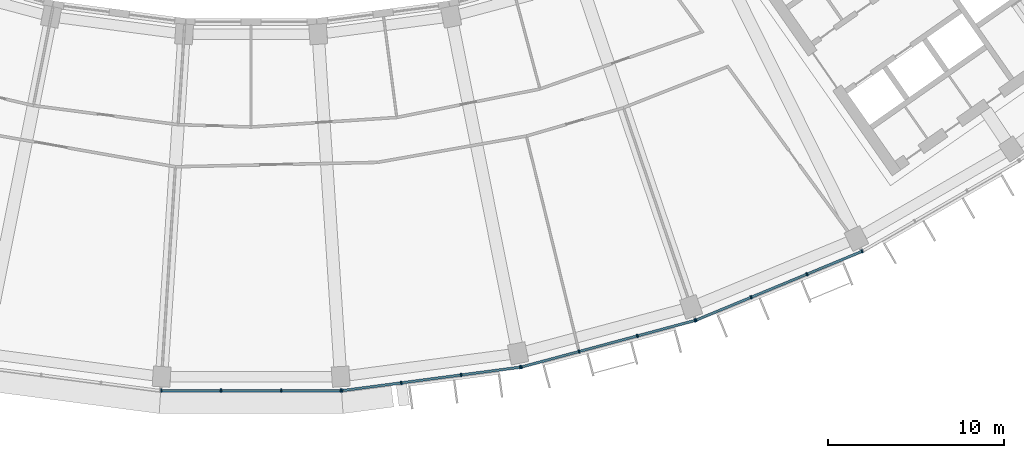
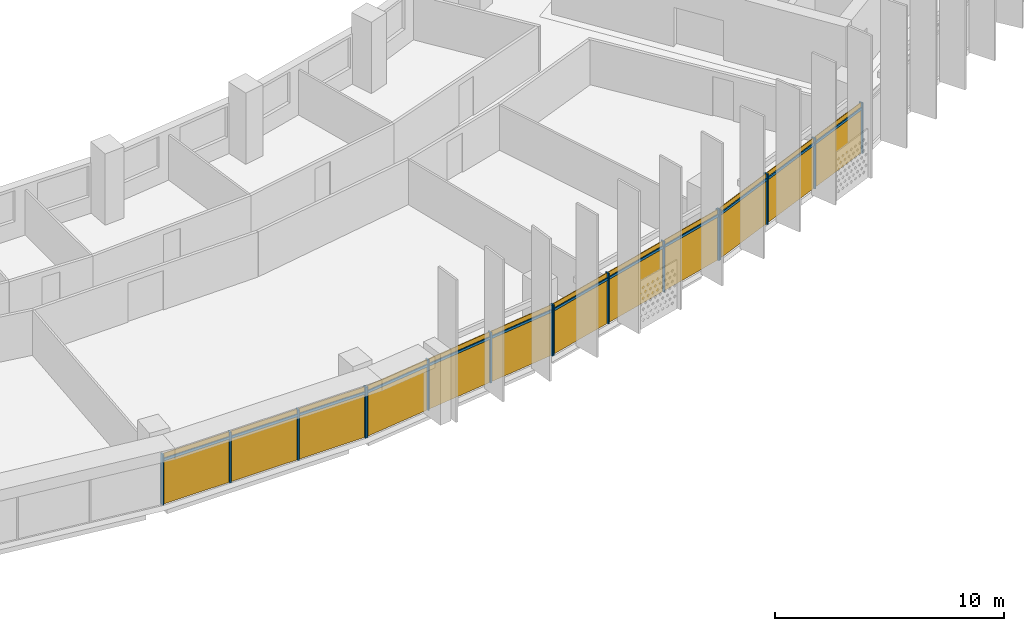
# One storey, part 21 of 28: 28 members, 4 curtain walls.
"""IFC4 building model written with IfcOpenShell, lengths in metres."""

from ifc_helpers import new_model, si_unit, direction, frame, origin, origin_2d, place, context, subcontext, project, spatial, rectangle, extrude, material, material_profile, profile_set, type_object, element, aggregate, save


model = new_model("IFC4")

# Units and contexts
model_context = context("Model", 3, precision=1e-05, world=origin(), true_north=direction((0.0, 1.0)))
body_context = subcontext(model_context, "Body", "Model", "MODEL_VIEW")
ifc_project = project(units=[si_unit("LENGTHUNIT", "METRE"), si_unit("AREAUNIT", "SQUARE_METRE"), si_unit("VOLUMEUNIT", "CUBIC_METRE"), si_unit("PLANEANGLEUNIT", "RADIAN"), si_unit("MASSUNIT", "GRAM", prefix="KILO")], contexts=[model_context])

# Member
ifc_material = material(Name="Aluminium 6063-T6 anodised", Category="aluminium")
ifc_material_profile_1 = material_profile(ifc_material, rectangle(XDim=0.199951171875, YDim=0.070068359375, at=origin_2d()))
ifc_profile_set_1 = profile_set([ifc_material_profile_1], Name="Aluminium 6063-T6 anodised")
member_type_1 = type_object("IfcMemberType", Name="Mullion 70 x 200 aluminium", PredefinedType="MULLION", material=ifc_profile_set_1)
site_placement = place(None, origin())
building_placement = place(site_placement, origin())
storey_placement = place(building_placement, frame((0.0, 0.0, 218.89990234375)))
member_1_placement = place(storey_placement, frame((-5.10888671875, -78.381591796875, 0.0), z_axis=(0.0, 0.0, 1.0), x_axis=(0.0, 1.0, 0.0)))
member_1 = element("IfcMember", 1, at=member_1_placement, type_object=member_type_1, Name="e-cw1-L52-out08/M00", PredefinedType="MULLION", context=body_context, shape_type="SweptSolid", body=[
    extrude(rectangle(XDim=0.199951171875, YDim=0.070068359375, at=origin_2d()), origin(), (0.0, 0.0, 1.0), 2.7001953125),
])

member_2_placement = place(storey_placement, frame((-1.714599609375, -78.381591796875, 0.0), z_axis=(0.0, 0.0, 1.0), x_axis=(0.0, 1.0, 0.0)))
member_2 = element("IfcMember", 2, at=member_2_placement, type_object=member_type_1, Name="e-cw1-L52-out08/M01", PredefinedType="MULLION", context=body_context, shape_type="SweptSolid", body=[
    extrude(rectangle(XDim=0.199951171875, YDim=0.070068359375, at=origin_2d()), origin(), (0.0, 0.0, 1.0), 2.7001953125),
])

member_3_placement = place(storey_placement, frame((1.714599609375, -78.381591796875, 0.0), z_axis=(0.0, 0.0, 1.0), x_axis=(0.0, 1.0, 0.0)))
member_3 = element("IfcMember", 3, at=member_3_placement, type_object=member_type_1, Name="e-cw1-L52-out08/M02", PredefinedType="MULLION", context=body_context, shape_type="SweptSolid", body=[
    extrude(rectangle(XDim=0.199951171875, YDim=0.070068359375, at=origin_2d()), origin(), (0.0, 0.0, 1.0), 2.7001953125),
])

member_4_placement = place(storey_placement, frame((5.10888671875, -78.381591796875, 0.0), z_axis=(0.0, 0.0, 1.0), x_axis=(0.0, 1.0, 0.0)))
member_4 = element("IfcMember", 4, at=member_4_placement, type_object=member_type_1, Name="e-cw1-L52-out08/M03", PredefinedType="MULLION", context=body_context, shape_type="SweptSolid", body=[
    extrude(rectangle(XDim=0.199951171875, YDim=0.070068359375, at=origin_2d()), origin(), (0.0, 0.0, 1.0), 2.7001953125),
])

member_5_placement = place(storey_placement, frame((5.16552734375, -78.3779296875, 0.0), z_axis=(0.0, 0.0, 1.0), x_axis=(-0.13052619222, 0.991444861374, 0.0)))
member_5 = element("IfcMember", 5, at=member_5_placement, type_object=member_type_1, Name="e-cw1-L52-out09/M00", PredefinedType="MULLION", context=body_context, shape_type="SweptSolid", body=[
    extrude(rectangle(XDim=0.199951171875, YDim=0.070068359375, at=origin_2d()), origin(), (0.0, 0.0, 1.0), 2.7001953125),
])

member_6_placement = place(storey_placement, frame((8.53076171875, -77.934814453125, 0.0), z_axis=(0.0, 0.0, 1.0), x_axis=(-0.13052619222, 0.991444861374, 0.0)))
member_6 = element("IfcMember", 6, at=member_6_placement, type_object=member_type_1, Name="e-cw1-L52-out09/M01", PredefinedType="MULLION", context=body_context, shape_type="SweptSolid", body=[
    extrude(rectangle(XDim=0.199951171875, YDim=0.070068359375, at=origin_2d()), origin(), (0.0, 0.0, 1.0), 2.7001953125),
])

member_7_placement = place(storey_placement, frame((11.930908203125, -77.4873046875, 0.0), z_axis=(0.0, 0.0, 1.0), x_axis=(-0.13052619222, 0.991444861374, 0.0)))
member_7 = element("IfcMember", 7, at=member_7_placement, type_object=member_type_1, Name="e-cw1-L52-out09/M02", PredefinedType="MULLION", context=body_context, shape_type="SweptSolid", body=[
    extrude(rectangle(XDim=0.199951171875, YDim=0.070068359375, at=origin_2d()), origin(), (0.0, 0.0, 1.0), 2.7001953125),
])

member_8_placement = place(storey_placement, frame((15.296142578125, -77.044189453125, 0.0), z_axis=(0.0, 0.0, 1.0), x_axis=(-0.13052619222, 0.991444861374, 0.0)))
member_8 = element("IfcMember", 8, at=member_8_placement, type_object=member_type_1, Name="e-cw1-L52-out09/M03", PredefinedType="MULLION", context=body_context, shape_type="SweptSolid", body=[
    extrude(rectangle(XDim=0.199951171875, YDim=0.070068359375, at=origin_2d()), origin(), (0.0, 0.0, 1.0), 2.7001953125),
])

member_9_placement = place(storey_placement, frame((15.351806640625, -77.033203125, 0.0), z_axis=(0.0, 0.0, 1.0), x_axis=(-0.258819045103, 0.965925826289, 0.0)))
member_9 = element("IfcMember", 9, at=member_9_placement, type_object=member_type_1, Name="e-cw1-L52-out10/M00", PredefinedType="MULLION", context=body_context, shape_type="SweptSolid", body=[
    extrude(rectangle(XDim=0.199951171875, YDim=0.070068359375, at=origin_2d()), origin(), (0.0, 0.0, 1.0), 2.7001953125),
])

member_10_placement = place(storey_placement, frame((18.63037109375, -76.154541015625, 0.0), z_axis=(0.0, 0.0, 1.0), x_axis=(-0.258819045103, 0.965925826289, 0.0)))
member_10 = element("IfcMember", 10, at=member_10_placement, type_object=member_type_1, Name="e-cw1-L52-out10/M01", PredefinedType="MULLION", context=body_context, shape_type="SweptSolid", body=[
    extrude(rectangle(XDim=0.199951171875, YDim=0.070068359375, at=origin_2d()), origin(), (0.0, 0.0, 1.0), 2.7001953125),
])

member_11_placement = place(storey_placement, frame((21.94287109375, -75.26708984375, 0.0), z_axis=(0.0, 0.0, 1.0), x_axis=(-0.258819045103, 0.965925826289, 0.0)))
member_11 = element("IfcMember", 11, at=member_11_placement, type_object=member_type_1, Name="e-cw1-L52-out10/M02", PredefinedType="MULLION", context=body_context, shape_type="SweptSolid", body=[
    extrude(rectangle(XDim=0.199951171875, YDim=0.070068359375, at=origin_2d()), origin(), (0.0, 0.0, 1.0), 2.7001953125),
])

member_12_placement = place(storey_placement, frame((25.221435546875, -74.388427734375, 0.0), z_axis=(0.0, 0.0, 1.0), x_axis=(-0.258819045103, 0.965925826289, 0.0)))
member_12 = element("IfcMember", 12, at=member_12_placement, type_object=member_type_1, Name="e-cw1-L52-out10/M03", PredefinedType="MULLION", context=body_context, shape_type="SweptSolid", body=[
    extrude(rectangle(XDim=0.199951171875, YDim=0.070068359375, at=origin_2d()), origin(), (0.0, 0.0, 1.0), 2.7001953125),
])

member_13_placement = place(storey_placement, frame((25.275390625, -74.370361328125, 0.0), z_axis=(0.0, 0.0, 1.0), x_axis=(-0.382683432365, 0.923879532511, 0.0)))
member_13 = element("IfcMember", 13, at=member_13_placement, type_object=member_type_1, Name="e-cw1-L52-out11/M00", PredefinedType="MULLION", context=body_context, shape_type="SweptSolid", body=[
    extrude(rectangle(XDim=0.199951171875, YDim=0.070068359375, at=origin_2d()), origin(), (0.0, 0.0, 1.0), 2.7001953125),
])

member_14_placement = place(storey_placement, frame((28.4111328125, -73.0712890625, 0.0), z_axis=(0.0, 0.0, 1.0), x_axis=(-0.382683432365, 0.923879532511, 0.0)))
member_14 = element("IfcMember", 14, at=member_14_placement, type_object=member_type_1, Name="e-cw1-L52-out11/M01", PredefinedType="MULLION", context=body_context, shape_type="SweptSolid", body=[
    extrude(rectangle(XDim=0.199951171875, YDim=0.070068359375, at=origin_2d()), origin(), (0.0, 0.0, 1.0), 2.7001953125),
])

member_15_placement = place(storey_placement, frame((31.57958984375, -71.759033203125, 0.0), z_axis=(0.0, 0.0, 1.0), x_axis=(-0.382683432365, 0.923879532511, 0.0)))
member_15 = element("IfcMember", 15, at=member_15_placement, type_object=member_type_1, Name="e-cw1-L52-out11/M02", PredefinedType="MULLION", context=body_context, shape_type="SweptSolid", body=[
    extrude(rectangle(XDim=0.199951171875, YDim=0.070068359375, at=origin_2d()), origin(), (0.0, 0.0, 1.0), 2.7001953125),
])

member_16_placement = place(storey_placement, frame((34.71533203125, -70.4599609375, 0.0), z_axis=(0.0, 0.0, 1.0), x_axis=(-0.382683432365, 0.923879532511, 0.0)))
member_16 = element("IfcMember", 16, at=member_16_placement, type_object=member_type_1, Name="e-cw1-L52-out11/M03", PredefinedType="MULLION", context=body_context, shape_type="SweptSolid", body=[
    extrude(rectangle(XDim=0.199951171875, YDim=0.070068359375, at=origin_2d()), origin(), (0.0, 0.0, 1.0), 2.7001953125),
])

ifc_material_profile_2 = material_profile(ifc_material, rectangle(XDim=0.139892578125, YDim=0.1201171875, at=origin_2d()))
ifc_profile_set_2 = profile_set([ifc_material_profile_2], Name="Aluminium 6063-T6 anodised")
member_type_2 = type_object("IfcMemberType", Name="Transom 120 x 140 aluminium", PredefinedType="USERDEFINED", material=ifc_profile_set_2)
member_17_placement = place(storey_placement, frame((-5.073974609375, -78.381591796875, 2.400146484375), z_axis=(1.0, 0.0, 0.0), x_axis=(0.0, 1.0, 0.0)))
member_17 = element("IfcMember", 17, at=member_17_placement, type_object=member_type_2, Name="e-cw1-L52-out08/T00", ObjectType="TRANSOM", PredefinedType="USERDEFINED", context=body_context, shape_type="SweptSolid", body=[
    extrude(rectangle(XDim=0.139892578125, YDim=0.1201171875, at=origin_2d()), origin(), (0.0, 0.0, 1.0), 3.32421875),
])

member_18_placement = place(storey_placement, frame((-1.6796875, -78.381591796875, 2.400146484375), z_axis=(1.0, 0.0, 0.0), x_axis=(0.0, 1.0, 0.0)))
member_18 = element("IfcMember", 18, at=member_18_placement, type_object=member_type_2, Name="e-cw1-L52-out08/T01", ObjectType="TRANSOM", PredefinedType="USERDEFINED", context=body_context, shape_type="SweptSolid", body=[
    extrude(rectangle(XDim=0.139892578125, YDim=0.1201171875, at=origin_2d()), origin(), (0.0, 0.0, 1.0), 3.359375),
])

member_19_placement = place(storey_placement, frame((1.749755859375, -78.381591796875, 2.400146484375), z_axis=(1.0, 0.0, 0.0), x_axis=(0.0, 1.0, 0.0)))
member_19 = element("IfcMember", 19, at=member_19_placement, type_object=member_type_2, Name="e-cw1-L52-out08/T02", ObjectType="TRANSOM", PredefinedType="USERDEFINED", context=body_context, shape_type="SweptSolid", body=[
    extrude(rectangle(XDim=0.139892578125, YDim=0.1201171875, at=origin_2d()), origin(), (0.0, 0.0, 1.0), 3.32421875),
])

member_20_placement = place(storey_placement, frame((5.2001953125, -78.373291015625, 2.400146484375), z_axis=(0.991447795146, 0.130503906072, 0.0), x_axis=(-0.130503906072, 0.991447795146, 0.0)))
member_20 = element("IfcMember", 20, at=member_20_placement, type_object=member_type_2, Name="e-cw1-L52-out09/T00", ObjectType="TRANSOM", PredefinedType="USERDEFINED", context=body_context, shape_type="SweptSolid", body=[
    extrude(rectangle(XDim=0.139892578125, YDim=0.1201171875, at=origin_2d()), origin(), (0.0, 0.0, 1.0), 3.32421875),
])

member_21_placement = place(storey_placement, frame((8.565673828125, -77.93017578125, 2.400146484375), z_axis=(0.991444893088, 0.130525951326, 0.0), x_axis=(-0.130525951326, 0.991444893088, 0.0)))
member_21 = element("IfcMember", 21, at=member_21_placement, type_object=member_type_2, Name="e-cw1-L52-out09/T01", ObjectType="TRANSOM", PredefinedType="USERDEFINED", context=body_context, shape_type="SweptSolid", body=[
    extrude(rectangle(XDim=0.139892578125, YDim=0.1201171875, at=origin_2d()), origin(), (0.0, 0.0, 1.0), 3.359375),
])

member_22_placement = place(storey_placement, frame((11.965576171875, -77.482666015625, 2.400146484375), z_axis=(0.991447795146, 0.130503906072, 0.0), x_axis=(-0.130503906072, 0.991447795146, 0.0)))
member_22 = element("IfcMember", 22, at=member_22_placement, type_object=member_type_2, Name="e-cw1-L52-out09/T02", ObjectType="TRANSOM", PredefinedType="USERDEFINED", context=body_context, shape_type="SweptSolid", body=[
    extrude(rectangle(XDim=0.139892578125, YDim=0.1201171875, at=origin_2d()), origin(), (0.0, 0.0, 1.0), 3.32421875),
])

member_23_placement = place(storey_placement, frame((15.385498046875, -77.024169921875, 2.400146484375), z_axis=(0.965913629723, 0.258864559019, 0.0), x_axis=(-0.258864559019, 0.965913629723, 0.0)))
member_23 = element("IfcMember", 23, at=member_23_placement, type_object=member_type_2, Name="e-cw1-L52-out10/T00", ObjectType="TRANSOM", PredefinedType="USERDEFINED", context=body_context, shape_type="SweptSolid", body=[
    extrude(rectangle(XDim=0.139892578125, YDim=0.1201171875, at=origin_2d()), origin(), (0.0, 0.0, 1.0), 3.324462890625),
])

member_24_placement = place(storey_placement, frame((18.664306640625, -76.1455078125, 2.400146484375), z_axis=(0.965931507774, 0.258797840582, 0.0), x_axis=(-0.258797840582, 0.965931507774, 0.0)))
member_24 = element("IfcMember", 24, at=member_24_placement, type_object=member_type_2, Name="e-cw1-L52-out10/T01", ObjectType="TRANSOM", PredefinedType="USERDEFINED", context=body_context, shape_type="SweptSolid", body=[
    extrude(rectangle(XDim=0.139892578125, YDim=0.1201171875, at=origin_2d()), origin(), (0.0, 0.0, 1.0), 3.359375),
])

member_25_placement = place(storey_placement, frame((21.976806640625, -75.258056640625, 2.400146484375), z_axis=(0.965908708139, 0.25888292246, 0.0), x_axis=(-0.25888292246, 0.965908708139, 0.0)))
member_25 = element("IfcMember", 25, at=member_25_placement, type_object=member_type_2, Name="e-cw1-L52-out10/T02", ObjectType="TRANSOM", PredefinedType="USERDEFINED", context=body_context, shape_type="SweptSolid", body=[
    extrude(rectangle(XDim=0.139892578125, YDim=0.1201171875, at=origin_2d()), origin(), (0.0, 0.0, 1.0), 3.32421875),
])

member_26_placement = place(storey_placement, frame((25.3076171875, -74.35693359375, 2.400146484375), z_axis=(0.923874511193, 0.382695554676, 0.0), x_axis=(-0.382695554676, 0.923874511193, 0.0)))
member_26 = element("IfcMember", 26, at=member_26_placement, type_object=member_type_2, Name="e-cw1-L52-out11/T00", ObjectType="TRANSOM", PredefinedType="USERDEFINED", context=body_context, shape_type="SweptSolid", body=[
    extrude(rectangle(XDim=0.139892578125, YDim=0.1201171875, at=origin_2d()), origin(), (0.0, 0.0, 1.0), 3.324462890625),
])

member_27_placement = place(storey_placement, frame((28.443603515625, -73.057861328125, 2.400146484375), z_axis=(0.923891938088, 0.38265348128, 0.0), x_axis=(-0.38265348128, 0.923891938088, 0.0)))
member_27 = element("IfcMember", 27, at=member_27_placement, type_object=member_type_2, Name="e-cw1-L52-out11/T01", ObjectType="TRANSOM", PredefinedType="USERDEFINED", context=body_context, shape_type="SweptSolid", body=[
    extrude(rectangle(XDim=0.139892578125, YDim=0.1201171875, at=origin_2d()), origin(), (0.0, 0.0, 1.0), 3.359130859375),
])

member_28_placement = place(storey_placement, frame((31.61181640625, -71.74560546875, 2.400146484375), z_axis=(0.923874511193, 0.382695554676, 0.0), x_axis=(-0.382695554676, 0.923874511193, 0.0)))
member_28 = element("IfcMember", 28, at=member_28_placement, type_object=member_type_2, Name="e-cw1-L52-out11/T02", ObjectType="TRANSOM", PredefinedType="USERDEFINED", context=body_context, shape_type="SweptSolid", body=[
    extrude(rectangle(XDim=0.139892578125, YDim=0.1201171875, at=origin_2d()), origin(), (0.0, 0.0, 1.0), 3.324462890625),
])

# Site, building, storey
site = spatial("IfcSite", under=ifc_project, at=site_placement, CompositionType="ELEMENT")
building = spatial("IfcBuilding", under=site, at=building_placement, Name="Qamariyya Broadcast Tower", CompositionType="ELEMENT")
storey = spatial("IfcBuildingStorey", under=building, at=storey_placement, Name="L52", CompositionType="ELEMENT", Elevation=218.89990234375)

# Curtain wall
curtain_wall_type = type_object("IfcCurtainWallType", Name="Unitised curtain wall, anodised aluminium", PredefinedType="NOTDEFINED", material=ifc_material)
curtain_wall_1_placement = place(storey_placement, origin())
curtain_wall_1 = element("IfcCurtainWall", 29, at=curtain_wall_1_placement, inside=storey, type_object=curtain_wall_type, Name="e-cw1-L52-out08", PredefinedType="NOTDEFINED", context=body_context, shape_type="SweptSolid", body=[
    extrude(rectangle(XDim=3.324462890625, YDim=0.031982421875, at=origin_2d()), frame((-3.411865234375, -78.381591796875, 0.0), x_axis=(1.0, 0.0, 0.0)), (0.0, 0.0, 1.0), 2.340087890625),
    extrude(rectangle(XDim=3.324462890625, YDim=0.031982421875, at=origin_2d()), frame((-3.411865234375, -78.381591796875, 2.460205078125), x_axis=(1.0, 0.0, 0.0)), (0.0, 0.0, 1.0), 0.239990234375),
    extrude(rectangle(XDim=3.359375, YDim=0.031982421875, at=origin_2d()), frame((0.0, -78.381591796875, 0.0), x_axis=(1.0, 0.0, 0.0)), (0.0, 0.0, 1.0), 2.340087890625),
    extrude(rectangle(XDim=3.359375, YDim=0.031982421875, at=origin_2d()), frame((0.0, -78.381591796875, 2.460205078125), x_axis=(1.0, 0.0, 0.0)), (0.0, 0.0, 1.0), 0.239990234375),
    extrude(rectangle(XDim=3.324462890625, YDim=0.031982421875, at=origin_2d()), frame((3.411865234375, -78.381591796875, 0.0), x_axis=(1.0, 0.0, 0.0)), (0.0, 0.0, 1.0), 2.340087890625),
    extrude(rectangle(XDim=3.324462890625, YDim=0.031982421875, at=origin_2d()), frame((3.411865234375, -78.381591796875, 2.460205078125), x_axis=(1.0, 0.0, 0.0)), (0.0, 0.0, 1.0), 0.239990234375),
])

aggregate(curtain_wall_1, [member_1, member_2, member_3, member_4, member_17, member_18, member_19])

curtain_wall_2_placement = place(storey_placement, origin())
curtain_wall_2 = element("IfcCurtainWall", 30, at=curtain_wall_2_placement, inside=storey, type_object=curtain_wall_type, Name="e-cw1-L52-out09", PredefinedType="NOTDEFINED", context=body_context, shape_type="SweptSolid", body=[
    extrude(rectangle(XDim=3.32421875, YDim=0.031982421875, at=origin_2d()), frame((6.84814453125, -78.156494140625, 0.0), x_axis=(0.991442741341, 0.130542294457, 0.0)), (0.0, 0.0, 1.0), 2.340087890625),
    extrude(rectangle(XDim=3.32421875, YDim=0.031982421875, at=origin_2d()), frame((6.84814453125, -78.156494140625, 2.460205078125), x_axis=(0.991442741341, 0.130542294457, 0.0)), (0.0, 0.0, 1.0), 0.239990234375),
    extrude(rectangle(XDim=3.359375, YDim=0.031982421875, at=origin_2d()), frame((10.23095703125, -77.7109375, 0.0), x_axis=(0.991442741341, 0.130542294457, 0.0)), (0.0, 0.0, 1.0), 2.340087890625),
    extrude(rectangle(XDim=3.359375, YDim=0.031982421875, at=origin_2d()), frame((10.23095703125, -77.7109375, 2.460205078125), x_axis=(0.991442741341, 0.130542294457, 0.0)), (0.0, 0.0, 1.0), 0.239990234375),
    extrude(rectangle(XDim=3.32421875, YDim=0.031982421875, at=origin_2d()), frame((13.613525390625, -77.265625, 0.0), x_axis=(0.991442741341, 0.130542294457, 0.0)), (0.0, 0.0, 1.0), 2.340087890625),
    extrude(rectangle(XDim=3.32421875, YDim=0.031982421875, at=origin_2d()), frame((13.613525390625, -77.265625, 2.460205078125), x_axis=(0.991442741341, 0.130542294457, 0.0)), (0.0, 0.0, 1.0), 0.239990234375),
])

aggregate(curtain_wall_2, [member_5, member_6, member_7, member_8, member_20, member_21, member_22])

curtain_wall_3_placement = place(storey_placement, origin())
curtain_wall_3 = element("IfcCurtainWall", 31, at=curtain_wall_3_placement, inside=storey, type_object=curtain_wall_type, Name="e-cw1-L52-out10", PredefinedType="NOTDEFINED", context=body_context, shape_type="SweptSolid", body=[
    extrude(rectangle(XDim=3.324462890625, YDim=0.031982421875, at=origin_2d()), frame((16.990966796875, -76.593994140625, 0.0), x_axis=(0.965923476514, 0.258827814424, 0.0)), (0.0, 0.0, 1.0), 2.340087890625),
    extrude(rectangle(XDim=3.324462890625, YDim=0.031982421875, at=origin_2d()), frame((16.990966796875, -76.593994140625, 2.460205078125), x_axis=(0.965923476514, 0.258827814424, 0.0)), (0.0, 0.0, 1.0), 0.239990234375),
    extrude(rectangle(XDim=3.359375, YDim=0.031982421875, at=origin_2d()), frame((20.28662109375, -75.7109375, 0.0), x_axis=(0.965923476514, 0.258827814424, 0.0)), (0.0, 0.0, 1.0), 2.340087890625),
    extrude(rectangle(XDim=3.359375, YDim=0.031982421875, at=origin_2d()), frame((20.28662109375, -75.7109375, 2.460205078125), x_axis=(0.965923476514, 0.258827814424, 0.0)), (0.0, 0.0, 1.0), 0.239990234375),
    extrude(rectangle(XDim=3.324462890625, YDim=0.031982421875, at=origin_2d()), frame((23.582275390625, -74.82763671875, 0.0), x_axis=(0.965923476514, 0.258827814424, 0.0)), (0.0, 0.0, 1.0), 2.340087890625),
    extrude(rectangle(XDim=3.324462890625, YDim=0.031982421875, at=origin_2d()), frame((23.582275390625, -74.82763671875, 2.460205078125), x_axis=(0.965923476514, 0.258827814424, 0.0)), (0.0, 0.0, 1.0), 0.239990234375),
])

aggregate(curtain_wall_3, [member_9, member_10, member_11, member_12, member_23, member_24, member_25])

curtain_wall_4_placement = place(storey_placement, origin())
curtain_wall_4 = element("IfcCurtainWall", 32, at=curtain_wall_4_placement, inside=storey, type_object=curtain_wall_type, Name="e-cw1-L52-out11", PredefinedType="NOTDEFINED", context=body_context, shape_type="SweptSolid", body=[
    extrude(rectangle(XDim=3.32421875, YDim=0.031982421875, at=origin_2d()), frame((26.84326171875, -73.720703125, 0.0), x_axis=(0.923880895135, 0.382680142683, 0.0)), (0.0, 0.0, 1.0), 2.340087890625),
    extrude(rectangle(XDim=3.32421875, YDim=0.031982421875, at=origin_2d()), frame((26.84326171875, -73.720703125, 2.460205078125), x_axis=(0.923880895135, 0.382680142683, 0.0)), (0.0, 0.0, 1.0), 0.239990234375),
    extrude(rectangle(XDim=3.359375, YDim=0.031982421875, at=origin_2d()), frame((29.995361328125, -72.4150390625, 0.0), x_axis=(0.923880895135, 0.382680142683, 0.0)), (0.0, 0.0, 1.0), 2.340087890625),
    extrude(rectangle(XDim=3.359375, YDim=0.031982421875, at=origin_2d()), frame((29.995361328125, -72.4150390625, 2.460205078125), x_axis=(0.923880895135, 0.382680142683, 0.0)), (0.0, 0.0, 1.0), 0.239990234375),
    extrude(rectangle(XDim=3.32421875, YDim=0.031982421875, at=origin_2d()), frame((33.1474609375, -71.109375, 0.0), x_axis=(0.923880895135, 0.382680142683, 0.0)), (0.0, 0.0, 1.0), 2.340087890625),
    extrude(rectangle(XDim=3.32421875, YDim=0.031982421875, at=origin_2d()), frame((33.1474609375, -71.109375, 2.460205078125), x_axis=(0.923880895135, 0.382680142683, 0.0)), (0.0, 0.0, 1.0), 0.239990234375),
])

aggregate(curtain_wall_4, [member_13, member_14, member_15, member_16, member_26, member_27, member_28])

save(model, "model.ifc")
